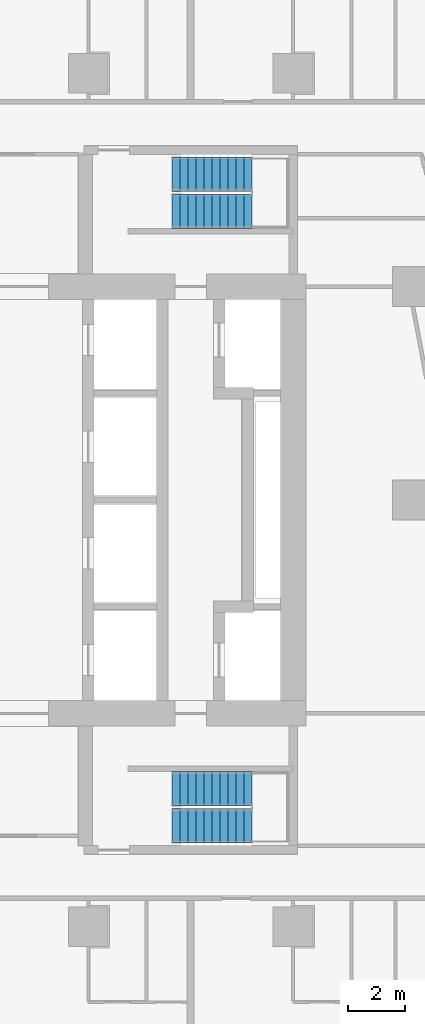
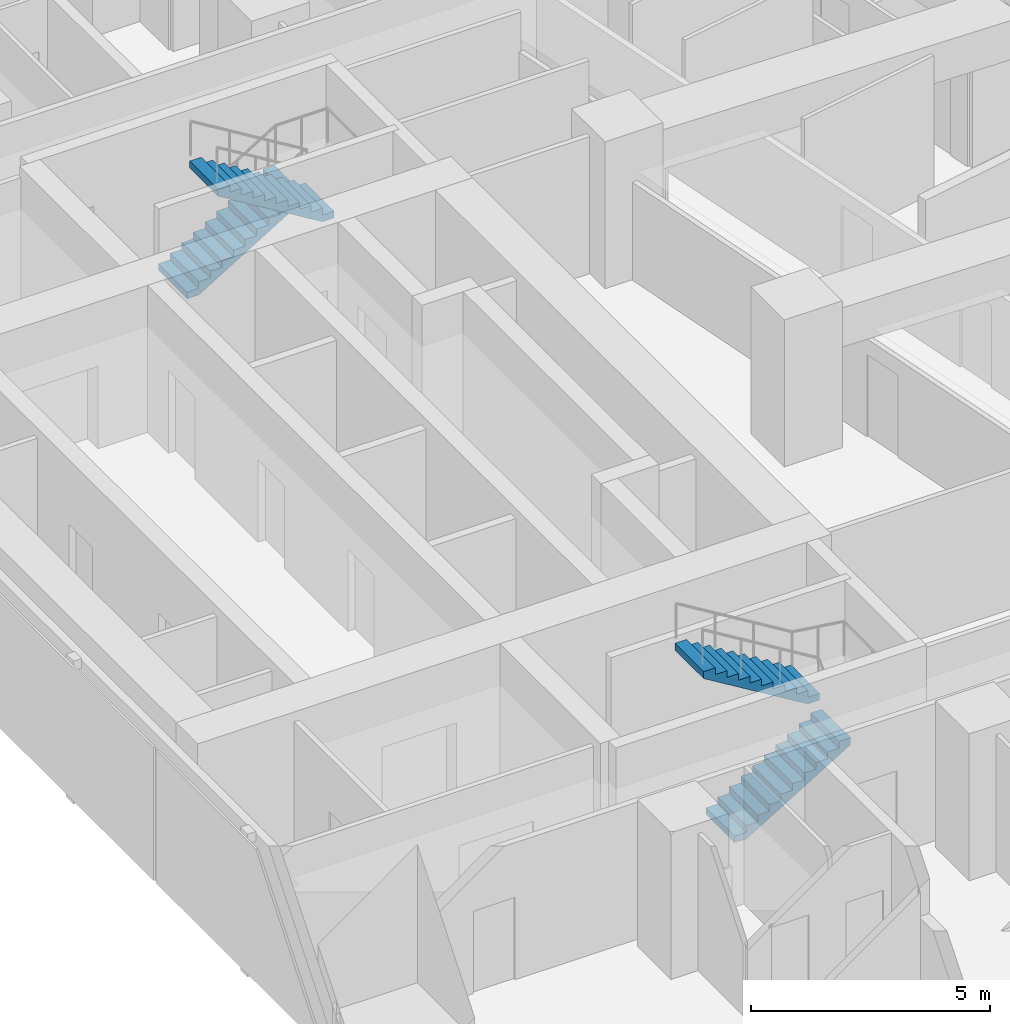
# One storey, part 9 of 10: 4 stair flights, 2 elements without a shape of their own.
"""IFC4 building model written with IfcOpenShell, lengths in metres."""

from ifc_helpers import new_model, si_unit, direction, frame, origin, place, context, subcontext, project, spatial, triangles, material, type_object, element, aggregate, save


model = new_model("IFC4")

# Units and contexts
model_context = context("Model", 3, precision=1e-05, world=origin(), true_north=direction((0.0, 1.0)))
body_context = subcontext(model_context, "Body", "Model", "MODEL_VIEW")
ifc_project = project(units=[si_unit("LENGTHUNIT", "METRE"), si_unit("AREAUNIT", "SQUARE_METRE"), si_unit("VOLUMEUNIT", "CUBIC_METRE"), si_unit("PLANEANGLEUNIT", "RADIAN"), si_unit("MASSUNIT", "GRAM", prefix="KILO")], contexts=[model_context])

# Site, building, storey
site_placement = place(None, origin())
site = spatial("IfcSite", under=ifc_project, at=site_placement, CompositionType="ELEMENT")
building_placement = place(site_placement, origin())
building = spatial("IfcBuilding", under=site, at=building_placement, Name="Sheger Commons Tower", CompositionType="ELEMENT")
storey_placement = place(building_placement, frame((0.0, 0.0, 231.199951171875)))
storey = spatial("IfcBuildingStorey", under=building, at=storey_placement, Name="L59", CompositionType="ELEMENT", Elevation=231.199951171875)

# Stair, stair flights
ifc_material_1 = material(Name="Concrete C35/45", Category="concrete")
stair_type = type_object("IfcStairType", Name="HALF-TURN STAIR 1200 RISE 3750", PredefinedType="HALF_TURN_STAIR", material=ifc_material_1)
stair_1_placement = place(storey_placement, origin())
stair_1 = element("IfcStair", 1, at=stair_1_placement, inside=storey, type_object=stair_type, Name="Stair S1 L59", PredefinedType="HALF_TURN_STAIR")
ifc_material_2 = material(Name="Concrete C35/45", Category="concrete")
stair_flight_type = type_object("IfcStairFlightType", Name="STAIR FLIGHT 1200 11 RISERS OF 170", PredefinedType="STRAIGHT", material=ifc_material_2)
stair_flight_1_placement = place(storey_placement, frame((24.550048828125, 11.050048828125, 0.0), z_axis=(0.0, 0.0, 1.0), x_axis=(1.0, 0.0, 0.0)))
stair_flight_1 = element("IfcStairFlight", 2, at=stair_flight_1_placement, type_object=stair_flight_type, Name="S1 flight 1", NumberOfRisers=11, NumberOfTreads=10, PredefinedType="STRAIGHT", RiserHeight=0.170454545, TreadLength=0.28, context=body_context, shape_type="Tessellation", body=[
    triangles([(0.0, 0.5999755859375, 0.0), (0.0, 0.5999755859375, 0.17041015625), (0.280029296875, 0.5999755859375, 0.17041015625), (0.280029296875, 0.5999755859375, 0.3408203125), (0.56005859375, 0.5999755859375, 0.3408203125), (0.56005859375, 0.5999755859375, 0.511474609375), (0.840087890625, 0.5999755859375, 0.511474609375), (0.840087890625, 0.5999755859375, 0.681884765625), (1.1201171875, 0.5999755859375, 0.681884765625), (1.1201171875, 0.5999755859375, 0.852294921875), (1.39990234375, 0.5999755859375, 0.852294921875), (1.39990234375, 0.5999755859375, 1.022705078125), (1.679931640625, 0.5999755859375, 1.022705078125), (1.679931640625, 0.5999755859375, 1.193115234375), (1.9599609375, 0.5999755859375, 1.193115234375), (1.9599609375, 0.5999755859375, 1.363525390625), (2.239990234375, 0.5999755859375, 1.363525390625), (2.239990234375, 0.5999755859375, 1.5341796875), (2.52001953125, 0.5999755859375, 1.5341796875), (2.52001953125, 0.5999755859375, 1.70458984375), (2.800048828125, 0.5999755859375, 1.70458984375), (2.800048828125, 0.5999755859375, 1.529052734375), (0.288330078125, 0.5999755859375, 0.0), (0.0, -0.5999755859375, 0.0), (0.0, -0.5999755859375, 0.17041015625), (0.280029296875, -0.5999755859375, 0.17041015625), (0.280029296875, -0.5999755859375, 0.3408203125), (0.56005859375, -0.5999755859375, 0.3408203125), (0.56005859375, -0.5999755859375, 0.511474609375), (0.840087890625, -0.5999755859375, 0.511474609375), (0.840087890625, -0.5999755859375, 0.681884765625), (1.1201171875, -0.5999755859375, 0.681884765625), (1.1201171875, -0.5999755859375, 0.852294921875), (1.39990234375, -0.5999755859375, 0.852294921875), (1.39990234375, -0.5999755859375, 1.022705078125), (1.679931640625, -0.5999755859375, 1.022705078125), (1.679931640625, -0.5999755859375, 1.193115234375), (1.9599609375, -0.5999755859375, 1.193115234375), (1.9599609375, -0.5999755859375, 1.363525390625), (2.239990234375, -0.5999755859375, 1.363525390625), (2.239990234375, -0.5999755859375, 1.5341796875), (2.52001953125, -0.5999755859375, 1.5341796875), (2.52001953125, -0.5999755859375, 1.70458984375), (2.800048828125, -0.5999755859375, 1.70458984375), (2.800048828125, -0.5999755859375, 1.529052734375), (0.288330078125, -0.5999755859375, 0.0), (0.0, 0.0, 0.085205078125), (0.1400146484375, 0.0, 0.17041015625), (0.280029296875, 0.0, 0.255615234375), (0.4200439453125, 0.0, 0.3408203125), (0.56005859375, 0.0, 0.4261474609375), (0.7000732421875, 0.0, 0.511474609375), (0.840087890625, 0.0, 0.5966796875), (0.9801025390625, 0.0, 0.681884765625), (1.1201171875, 0.0, 0.76708984375), (1.260009765625, 0.0, 0.852294921875), (1.39990234375, 0.0, 0.9375), (1.5399169921875, 0.0, 1.022705078125), (1.679931640625, 0.0, 1.10791015625), (1.8199462890625, 0.0, 1.193115234375), (1.9599609375, 0.0, 1.2783203125), (2.0999755859375, 0.0, 1.363525390625), (2.239990234375, 0.0, 1.4488525390625), (2.3800048828125, 0.0, 1.5341796875), (2.52001953125, 0.0, 1.619384765625), (2.6600341796875, 0.0, 1.70458984375), (2.800048828125, 0.0, 1.6168212890625), (1.544189453125, 0.0, 0.7645263671875), (0.1441650390625, 0.0, 0.0)], [[1, 22, 23], [24, 46, 45], [22, 20, 21], [45, 44, 43], [22, 19, 20], [45, 43, 42], [22, 18, 19], [45, 42, 41], [22, 17, 18], [45, 41, 40], [17, 15, 16], [40, 39, 38], [22, 15, 17], [45, 40, 38], [15, 13, 14], [38, 37, 36], [22, 13, 15], [45, 38, 36], [13, 11, 12], [36, 35, 34], [22, 11, 13], [45, 36, 34], [11, 9, 10], [34, 33, 32], [22, 9, 11], [45, 34, 32], [9, 7, 8], [32, 31, 30], [22, 7, 9], [45, 32, 30], [7, 5, 6], [30, 29, 28], [22, 5, 7], [45, 30, 28], [5, 3, 4], [28, 27, 26], [22, 3, 5], [45, 28, 26], [1, 3, 22], [24, 45, 26], [3, 1, 2], [26, 25, 24], [1, 47, 2], [2, 47, 25], [25, 47, 24], [24, 47, 1], [2, 48, 3], [3, 48, 26], [26, 48, 25], [25, 48, 2], [3, 49, 4], [4, 49, 27], [27, 49, 26], [26, 49, 3], [4, 50, 5], [5, 50, 28], [28, 50, 27], [27, 50, 4], [5, 51, 6], [6, 51, 29], [29, 51, 28], [28, 51, 5], [6, 52, 7], [7, 52, 30], [30, 52, 29], [29, 52, 6], [7, 53, 8], [8, 53, 31], [31, 53, 30], [30, 53, 7], [8, 54, 9], [9, 54, 32], [32, 54, 31], [31, 54, 8], [9, 55, 10], [10, 55, 33], [33, 55, 32], [32, 55, 9], [10, 56, 11], [11, 56, 34], [34, 56, 33], [33, 56, 10], [11, 57, 12], [12, 57, 35], [35, 57, 34], [34, 57, 11], [12, 58, 13], [13, 58, 36], [36, 58, 35], [35, 58, 12], [13, 59, 14], [14, 59, 37], [37, 59, 36], [36, 59, 13], [14, 60, 15], [15, 60, 38], [38, 60, 37], [37, 60, 14], [15, 61, 16], [16, 61, 39], [39, 61, 38], [38, 61, 15], [16, 62, 17], [17, 62, 40], [40, 62, 39], [39, 62, 16], [17, 63, 18], [18, 63, 41], [41, 63, 40], [40, 63, 17], [18, 64, 19], [19, 64, 42], [42, 64, 41], [41, 64, 18], [19, 65, 20], [20, 65, 43], [43, 65, 42], [42, 65, 19], [20, 66, 21], [21, 66, 44], [44, 66, 43], [43, 66, 20], [21, 67, 22], [22, 67, 45], [45, 67, 44], [44, 67, 21], [22, 68, 23], [23, 68, 46], [46, 68, 45], [45, 68, 22], [23, 69, 1], [1, 69, 24], [24, 69, 46], [46, 69, 23]], closed=True),
])
stair_flight_2_placement = place(storey_placement, frame((27.35009765625, 12.35009765625, 1.875), z_axis=(0.0, 0.0, 1.0), x_axis=(-1.0, 0.0, 0.0)))
stair_flight_2 = element("IfcStairFlight", 3, at=stair_flight_2_placement, type_object=stair_flight_type, Name="S1 flight 2", NumberOfRisers=11, NumberOfTreads=10, PredefinedType="STRAIGHT", RiserHeight=0.170454545, TreadLength=0.28, context=body_context, shape_type="Tessellation", body=[
    triangles([(0.0, 0.5999755859375, 0.0), (0.0, 0.5999755859375, 0.17041015625), (0.280029296875, 0.5999755859375, 0.17041015625), (0.280029296875, 0.5999755859375, 0.3408203125), (0.56005859375, 0.5999755859375, 0.3408203125), (0.56005859375, 0.5999755859375, 0.511474609375), (0.840087890625, 0.5999755859375, 0.511474609375), (0.840087890625, 0.5999755859375, 0.681884765625), (1.1201171875, 0.5999755859375, 0.681884765625), (1.1201171875, 0.5999755859375, 0.852294921875), (1.39990234375, 0.5999755859375, 0.852294921875), (1.39990234375, 0.5999755859375, 1.022705078125), (1.679931640625, 0.5999755859375, 1.022705078125), (1.679931640625, 0.5999755859375, 1.193115234375), (1.9599609375, 0.5999755859375, 1.193115234375), (1.9599609375, 0.5999755859375, 1.363525390625), (2.239990234375, 0.5999755859375, 1.363525390625), (2.239990234375, 0.5999755859375, 1.5341796875), (2.52001953125, 0.5999755859375, 1.5341796875), (2.52001953125, 0.5999755859375, 1.70458984375), (2.800048828125, 0.5999755859375, 1.70458984375), (2.800048828125, 0.5999755859375, 1.529052734375), (0.288330078125, 0.5999755859375, 0.0), (0.0, -0.5999755859375, 0.0), (0.0, -0.5999755859375, 0.17041015625), (0.280029296875, -0.5999755859375, 0.17041015625), (0.280029296875, -0.5999755859375, 0.3408203125), (0.56005859375, -0.5999755859375, 0.3408203125), (0.56005859375, -0.5999755859375, 0.511474609375), (0.840087890625, -0.5999755859375, 0.511474609375), (0.840087890625, -0.5999755859375, 0.681884765625), (1.1201171875, -0.5999755859375, 0.681884765625), (1.1201171875, -0.5999755859375, 0.852294921875), (1.39990234375, -0.5999755859375, 0.852294921875), (1.39990234375, -0.5999755859375, 1.022705078125), (1.679931640625, -0.5999755859375, 1.022705078125), (1.679931640625, -0.5999755859375, 1.193115234375), (1.9599609375, -0.5999755859375, 1.193115234375), (1.9599609375, -0.5999755859375, 1.363525390625), (2.239990234375, -0.5999755859375, 1.363525390625), (2.239990234375, -0.5999755859375, 1.5341796875), (2.52001953125, -0.5999755859375, 1.5341796875), (2.52001953125, -0.5999755859375, 1.70458984375), (2.800048828125, -0.5999755859375, 1.70458984375), (2.800048828125, -0.5999755859375, 1.529052734375), (0.288330078125, -0.5999755859375, 0.0), (0.0, 0.0, 0.085205078125), (0.1400146484375, 0.0, 0.17041015625), (0.280029296875, 0.0, 0.255615234375), (0.4200439453125, 0.0, 0.3408203125), (0.56005859375, 0.0, 0.4261474609375), (0.7000732421875, 0.0, 0.511474609375), (0.840087890625, 0.0, 0.5966796875), (0.9801025390625, 0.0, 0.681884765625), (1.1201171875, 0.0, 0.76708984375), (1.260009765625, 0.0, 0.852294921875), (1.39990234375, 0.0, 0.9375), (1.5399169921875, 0.0, 1.022705078125), (1.679931640625, 0.0, 1.10791015625), (1.8199462890625, 0.0, 1.193115234375), (1.9599609375, 0.0, 1.2783203125), (2.0999755859375, 0.0, 1.363525390625), (2.239990234375, 0.0, 1.4488525390625), (2.3800048828125, 0.0, 1.5341796875), (2.52001953125, 0.0, 1.619384765625), (2.6600341796875, 0.0, 1.70458984375), (2.800048828125, 0.0, 1.6168212890625), (1.544189453125, 0.0, 0.7645263671875), (0.1441650390625, 0.0, 0.0)], [[1, 22, 23], [24, 46, 45], [22, 20, 21], [45, 44, 43], [22, 19, 20], [45, 43, 42], [22, 18, 19], [45, 42, 41], [22, 17, 18], [45, 41, 40], [17, 15, 16], [40, 39, 38], [22, 15, 17], [45, 40, 38], [15, 13, 14], [38, 37, 36], [22, 13, 15], [45, 38, 36], [13, 11, 12], [36, 35, 34], [22, 11, 13], [45, 36, 34], [11, 9, 10], [34, 33, 32], [22, 9, 11], [45, 34, 32], [9, 7, 8], [32, 31, 30], [22, 7, 9], [45, 32, 30], [7, 5, 6], [30, 29, 28], [22, 5, 7], [45, 30, 28], [5, 3, 4], [28, 27, 26], [22, 3, 5], [45, 28, 26], [1, 3, 22], [24, 45, 26], [3, 1, 2], [26, 25, 24], [1, 47, 2], [2, 47, 25], [25, 47, 24], [24, 47, 1], [2, 48, 3], [3, 48, 26], [26, 48, 25], [25, 48, 2], [3, 49, 4], [4, 49, 27], [27, 49, 26], [26, 49, 3], [4, 50, 5], [5, 50, 28], [28, 50, 27], [27, 50, 4], [5, 51, 6], [6, 51, 29], [29, 51, 28], [28, 51, 5], [6, 52, 7], [7, 52, 30], [30, 52, 29], [29, 52, 6], [7, 53, 8], [8, 53, 31], [31, 53, 30], [30, 53, 7], [8, 54, 9], [9, 54, 32], [32, 54, 31], [31, 54, 8], [9, 55, 10], [10, 55, 33], [33, 55, 32], [32, 55, 9], [10, 56, 11], [11, 56, 34], [34, 56, 33], [33, 56, 10], [11, 57, 12], [12, 57, 35], [35, 57, 34], [34, 57, 11], [12, 58, 13], [13, 58, 36], [36, 58, 35], [35, 58, 12], [13, 59, 14], [14, 59, 37], [37, 59, 36], [36, 59, 13], [14, 60, 15], [15, 60, 38], [38, 60, 37], [37, 60, 14], [15, 61, 16], [16, 61, 39], [39, 61, 38], [38, 61, 15], [16, 62, 17], [17, 62, 40], [40, 62, 39], [39, 62, 16], [17, 63, 18], [18, 63, 41], [41, 63, 40], [40, 63, 17], [18, 64, 19], [19, 64, 42], [42, 64, 41], [41, 64, 18], [19, 65, 20], [20, 65, 43], [43, 65, 42], [42, 65, 19], [20, 66, 21], [21, 66, 44], [44, 66, 43], [43, 66, 20], [21, 67, 22], [22, 67, 45], [45, 67, 44], [44, 67, 21], [22, 68, 23], [23, 68, 46], [46, 68, 45], [45, 68, 22], [23, 69, 1], [1, 69, 24], [24, 69, 46], [46, 69, 23]], closed=True),
])
aggregate(stair_1, [stair_flight_1, stair_flight_2])

stair_2_placement = place(storey_placement, origin())
stair_2 = element("IfcStair", 4, at=stair_2_placement, inside=storey, type_object=stair_type, Name="Stair S2 L59", PredefinedType="HALF_TURN_STAIR")
stair_flight_3_placement = place(storey_placement, frame((24.550048828125, 33.949951171875, 0.0), z_axis=(0.0, 0.0, 1.0), x_axis=(1.0, 0.0, 0.0)))
stair_flight_3 = element("IfcStairFlight", 5, at=stair_flight_3_placement, type_object=stair_flight_type, Name="S2 flight 1", NumberOfRisers=11, NumberOfTreads=10, PredefinedType="STRAIGHT", RiserHeight=0.170454545, TreadLength=0.28, context=body_context, shape_type="Tessellation", body=[
    triangles([(0.0, 0.5999755859375, 0.0), (0.0, 0.5999755859375, 0.17041015625), (0.280029296875, 0.5999755859375, 0.17041015625), (0.280029296875, 0.5999755859375, 0.3408203125), (0.56005859375, 0.5999755859375, 0.3408203125), (0.56005859375, 0.5999755859375, 0.511474609375), (0.840087890625, 0.5999755859375, 0.511474609375), (0.840087890625, 0.5999755859375, 0.681884765625), (1.1201171875, 0.5999755859375, 0.681884765625), (1.1201171875, 0.5999755859375, 0.852294921875), (1.39990234375, 0.5999755859375, 0.852294921875), (1.39990234375, 0.5999755859375, 1.022705078125), (1.679931640625, 0.5999755859375, 1.022705078125), (1.679931640625, 0.5999755859375, 1.193115234375), (1.9599609375, 0.5999755859375, 1.193115234375), (1.9599609375, 0.5999755859375, 1.363525390625), (2.239990234375, 0.5999755859375, 1.363525390625), (2.239990234375, 0.5999755859375, 1.5341796875), (2.52001953125, 0.5999755859375, 1.5341796875), (2.52001953125, 0.5999755859375, 1.70458984375), (2.800048828125, 0.5999755859375, 1.70458984375), (2.800048828125, 0.5999755859375, 1.529052734375), (0.288330078125, 0.5999755859375, 0.0), (0.0, -0.5999755859375, 0.0), (0.0, -0.5999755859375, 0.17041015625), (0.280029296875, -0.5999755859375, 0.17041015625), (0.280029296875, -0.5999755859375, 0.3408203125), (0.56005859375, -0.5999755859375, 0.3408203125), (0.56005859375, -0.5999755859375, 0.511474609375), (0.840087890625, -0.5999755859375, 0.511474609375), (0.840087890625, -0.5999755859375, 0.681884765625), (1.1201171875, -0.5999755859375, 0.681884765625), (1.1201171875, -0.5999755859375, 0.852294921875), (1.39990234375, -0.5999755859375, 0.852294921875), (1.39990234375, -0.5999755859375, 1.022705078125), (1.679931640625, -0.5999755859375, 1.022705078125), (1.679931640625, -0.5999755859375, 1.193115234375), (1.9599609375, -0.5999755859375, 1.193115234375), (1.9599609375, -0.5999755859375, 1.363525390625), (2.239990234375, -0.5999755859375, 1.363525390625), (2.239990234375, -0.5999755859375, 1.5341796875), (2.52001953125, -0.5999755859375, 1.5341796875), (2.52001953125, -0.5999755859375, 1.70458984375), (2.800048828125, -0.5999755859375, 1.70458984375), (2.800048828125, -0.5999755859375, 1.529052734375), (0.288330078125, -0.5999755859375, 0.0), (0.0, 0.0, 0.085205078125), (0.1400146484375, 0.0, 0.17041015625), (0.280029296875, 0.0, 0.255615234375), (0.4200439453125, 0.0, 0.3408203125), (0.56005859375, 0.0, 0.4261474609375), (0.7000732421875, 0.0, 0.511474609375), (0.840087890625, 0.0, 0.5966796875), (0.9801025390625, 0.0, 0.681884765625), (1.1201171875, 0.0, 0.76708984375), (1.260009765625, 0.0, 0.852294921875), (1.39990234375, 0.0, 0.9375), (1.5399169921875, 0.0, 1.022705078125), (1.679931640625, 0.0, 1.10791015625), (1.8199462890625, 0.0, 1.193115234375), (1.9599609375, 0.0, 1.2783203125), (2.0999755859375, 0.0, 1.363525390625), (2.239990234375, 0.0, 1.4488525390625), (2.3800048828125, 0.0, 1.5341796875), (2.52001953125, 0.0, 1.619384765625), (2.6600341796875, 0.0, 1.70458984375), (2.800048828125, 0.0, 1.6168212890625), (1.544189453125, 0.0, 0.7645263671875), (0.1441650390625, 0.0, 0.0)], [[1, 22, 23], [24, 46, 45], [22, 20, 21], [45, 44, 43], [22, 19, 20], [45, 43, 42], [22, 18, 19], [45, 42, 41], [22, 17, 18], [45, 41, 40], [17, 15, 16], [40, 39, 38], [22, 15, 17], [45, 40, 38], [15, 13, 14], [38, 37, 36], [22, 13, 15], [45, 38, 36], [13, 11, 12], [36, 35, 34], [22, 11, 13], [45, 36, 34], [11, 9, 10], [34, 33, 32], [22, 9, 11], [45, 34, 32], [9, 7, 8], [32, 31, 30], [22, 7, 9], [45, 32, 30], [7, 5, 6], [30, 29, 28], [22, 5, 7], [45, 30, 28], [5, 3, 4], [28, 27, 26], [22, 3, 5], [45, 28, 26], [1, 3, 22], [24, 45, 26], [3, 1, 2], [26, 25, 24], [1, 47, 2], [2, 47, 25], [25, 47, 24], [24, 47, 1], [2, 48, 3], [3, 48, 26], [26, 48, 25], [25, 48, 2], [3, 49, 4], [4, 49, 27], [27, 49, 26], [26, 49, 3], [4, 50, 5], [5, 50, 28], [28, 50, 27], [27, 50, 4], [5, 51, 6], [6, 51, 29], [29, 51, 28], [28, 51, 5], [6, 52, 7], [7, 52, 30], [30, 52, 29], [29, 52, 6], [7, 53, 8], [8, 53, 31], [31, 53, 30], [30, 53, 7], [8, 54, 9], [9, 54, 32], [32, 54, 31], [31, 54, 8], [9, 55, 10], [10, 55, 33], [33, 55, 32], [32, 55, 9], [10, 56, 11], [11, 56, 34], [34, 56, 33], [33, 56, 10], [11, 57, 12], [12, 57, 35], [35, 57, 34], [34, 57, 11], [12, 58, 13], [13, 58, 36], [36, 58, 35], [35, 58, 12], [13, 59, 14], [14, 59, 37], [37, 59, 36], [36, 59, 13], [14, 60, 15], [15, 60, 38], [38, 60, 37], [37, 60, 14], [15, 61, 16], [16, 61, 39], [39, 61, 38], [38, 61, 15], [16, 62, 17], [17, 62, 40], [40, 62, 39], [39, 62, 16], [17, 63, 18], [18, 63, 41], [41, 63, 40], [40, 63, 17], [18, 64, 19], [19, 64, 42], [42, 64, 41], [41, 64, 18], [19, 65, 20], [20, 65, 43], [43, 65, 42], [42, 65, 19], [20, 66, 21], [21, 66, 44], [44, 66, 43], [43, 66, 20], [21, 67, 22], [22, 67, 45], [45, 67, 44], [44, 67, 21], [22, 68, 23], [23, 68, 46], [46, 68, 45], [45, 68, 22], [23, 69, 1], [1, 69, 24], [24, 69, 46], [46, 69, 23]], closed=True),
])
stair_flight_4_placement = place(storey_placement, frame((27.35009765625, 32.64990234375, 1.875), z_axis=(0.0, 0.0, 1.0), x_axis=(-1.0, 0.0, 0.0)))
stair_flight_4 = element("IfcStairFlight", 6, at=stair_flight_4_placement, type_object=stair_flight_type, Name="S2 flight 2", NumberOfRisers=11, NumberOfTreads=10, PredefinedType="STRAIGHT", RiserHeight=0.170454545, TreadLength=0.28, context=body_context, shape_type="Tessellation", body=[
    triangles([(0.0, 0.5999755859375, 0.0), (0.0, 0.5999755859375, 0.17041015625), (0.280029296875, 0.5999755859375, 0.17041015625), (0.280029296875, 0.5999755859375, 0.3408203125), (0.56005859375, 0.5999755859375, 0.3408203125), (0.56005859375, 0.5999755859375, 0.511474609375), (0.840087890625, 0.5999755859375, 0.511474609375), (0.840087890625, 0.5999755859375, 0.681884765625), (1.1201171875, 0.5999755859375, 0.681884765625), (1.1201171875, 0.5999755859375, 0.852294921875), (1.39990234375, 0.5999755859375, 0.852294921875), (1.39990234375, 0.5999755859375, 1.022705078125), (1.679931640625, 0.5999755859375, 1.022705078125), (1.679931640625, 0.5999755859375, 1.193115234375), (1.9599609375, 0.5999755859375, 1.193115234375), (1.9599609375, 0.5999755859375, 1.363525390625), (2.239990234375, 0.5999755859375, 1.363525390625), (2.239990234375, 0.5999755859375, 1.5341796875), (2.52001953125, 0.5999755859375, 1.5341796875), (2.52001953125, 0.5999755859375, 1.70458984375), (2.800048828125, 0.5999755859375, 1.70458984375), (2.800048828125, 0.5999755859375, 1.529052734375), (0.288330078125, 0.5999755859375, 0.0), (0.0, -0.5999755859375, 0.0), (0.0, -0.5999755859375, 0.17041015625), (0.280029296875, -0.5999755859375, 0.17041015625), (0.280029296875, -0.5999755859375, 0.3408203125), (0.56005859375, -0.5999755859375, 0.3408203125), (0.56005859375, -0.5999755859375, 0.511474609375), (0.840087890625, -0.5999755859375, 0.511474609375), (0.840087890625, -0.5999755859375, 0.681884765625), (1.1201171875, -0.5999755859375, 0.681884765625), (1.1201171875, -0.5999755859375, 0.852294921875), (1.39990234375, -0.5999755859375, 0.852294921875), (1.39990234375, -0.5999755859375, 1.022705078125), (1.679931640625, -0.5999755859375, 1.022705078125), (1.679931640625, -0.5999755859375, 1.193115234375), (1.9599609375, -0.5999755859375, 1.193115234375), (1.9599609375, -0.5999755859375, 1.363525390625), (2.239990234375, -0.5999755859375, 1.363525390625), (2.239990234375, -0.5999755859375, 1.5341796875), (2.52001953125, -0.5999755859375, 1.5341796875), (2.52001953125, -0.5999755859375, 1.70458984375), (2.800048828125, -0.5999755859375, 1.70458984375), (2.800048828125, -0.5999755859375, 1.529052734375), (0.288330078125, -0.5999755859375, 0.0), (0.0, 0.0, 0.085205078125), (0.1400146484375, 0.0, 0.17041015625), (0.280029296875, 0.0, 0.255615234375), (0.4200439453125, 0.0, 0.3408203125), (0.56005859375, 0.0, 0.4261474609375), (0.7000732421875, 0.0, 0.511474609375), (0.840087890625, 0.0, 0.5966796875), (0.9801025390625, 0.0, 0.681884765625), (1.1201171875, 0.0, 0.76708984375), (1.260009765625, 0.0, 0.852294921875), (1.39990234375, 0.0, 0.9375), (1.5399169921875, 0.0, 1.022705078125), (1.679931640625, 0.0, 1.10791015625), (1.8199462890625, 0.0, 1.193115234375), (1.9599609375, 0.0, 1.2783203125), (2.0999755859375, 0.0, 1.363525390625), (2.239990234375, 0.0, 1.4488525390625), (2.3800048828125, 0.0, 1.5341796875), (2.52001953125, 0.0, 1.619384765625), (2.6600341796875, 0.0, 1.70458984375), (2.800048828125, 0.0, 1.6168212890625), (1.544189453125, 0.0, 0.7645263671875), (0.1441650390625, 0.0, 0.0)], [[1, 22, 23], [24, 46, 45], [22, 20, 21], [45, 44, 43], [22, 19, 20], [45, 43, 42], [22, 18, 19], [45, 42, 41], [22, 17, 18], [45, 41, 40], [17, 15, 16], [40, 39, 38], [22, 15, 17], [45, 40, 38], [15, 13, 14], [38, 37, 36], [22, 13, 15], [45, 38, 36], [13, 11, 12], [36, 35, 34], [22, 11, 13], [45, 36, 34], [11, 9, 10], [34, 33, 32], [22, 9, 11], [45, 34, 32], [9, 7, 8], [32, 31, 30], [22, 7, 9], [45, 32, 30], [7, 5, 6], [30, 29, 28], [22, 5, 7], [45, 30, 28], [5, 3, 4], [28, 27, 26], [22, 3, 5], [45, 28, 26], [1, 3, 22], [24, 45, 26], [3, 1, 2], [26, 25, 24], [1, 47, 2], [2, 47, 25], [25, 47, 24], [24, 47, 1], [2, 48, 3], [3, 48, 26], [26, 48, 25], [25, 48, 2], [3, 49, 4], [4, 49, 27], [27, 49, 26], [26, 49, 3], [4, 50, 5], [5, 50, 28], [28, 50, 27], [27, 50, 4], [5, 51, 6], [6, 51, 29], [29, 51, 28], [28, 51, 5], [6, 52, 7], [7, 52, 30], [30, 52, 29], [29, 52, 6], [7, 53, 8], [8, 53, 31], [31, 53, 30], [30, 53, 7], [8, 54, 9], [9, 54, 32], [32, 54, 31], [31, 54, 8], [9, 55, 10], [10, 55, 33], [33, 55, 32], [32, 55, 9], [10, 56, 11], [11, 56, 34], [34, 56, 33], [33, 56, 10], [11, 57, 12], [12, 57, 35], [35, 57, 34], [34, 57, 11], [12, 58, 13], [13, 58, 36], [36, 58, 35], [35, 58, 12], [13, 59, 14], [14, 59, 37], [37, 59, 36], [36, 59, 13], [14, 60, 15], [15, 60, 38], [38, 60, 37], [37, 60, 14], [15, 61, 16], [16, 61, 39], [39, 61, 38], [38, 61, 15], [16, 62, 17], [17, 62, 40], [40, 62, 39], [39, 62, 16], [17, 63, 18], [18, 63, 41], [41, 63, 40], [40, 63, 17], [18, 64, 19], [19, 64, 42], [42, 64, 41], [41, 64, 18], [19, 65, 20], [20, 65, 43], [43, 65, 42], [42, 65, 19], [20, 66, 21], [21, 66, 44], [44, 66, 43], [43, 66, 20], [21, 67, 22], [22, 67, 45], [45, 67, 44], [44, 67, 21], [22, 68, 23], [23, 68, 46], [46, 68, 45], [45, 68, 22], [23, 69, 1], [1, 69, 24], [24, 69, 46], [46, 69, 23]], closed=True),
])
aggregate(stair_2, [stair_flight_3, stair_flight_4])

save(model, "model.ifc")
